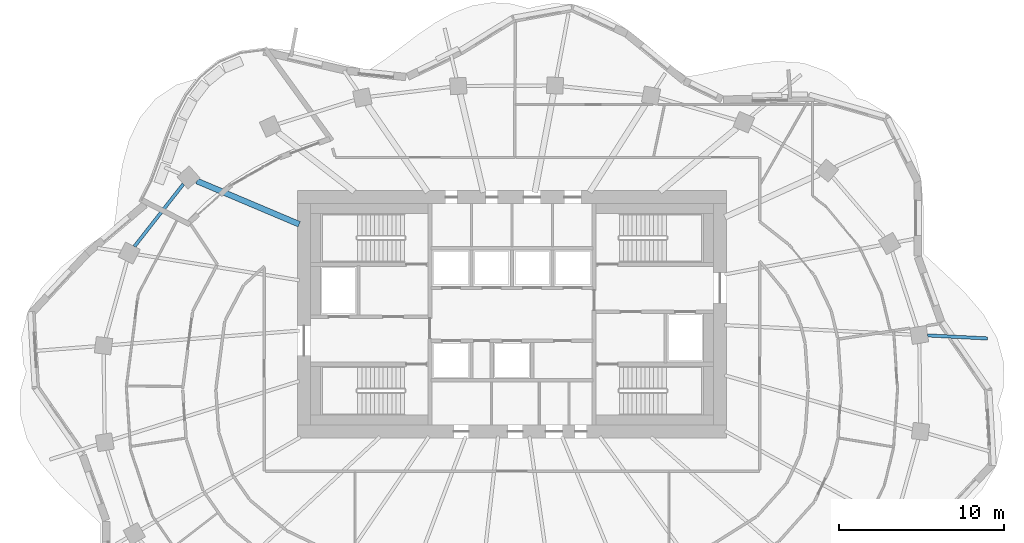
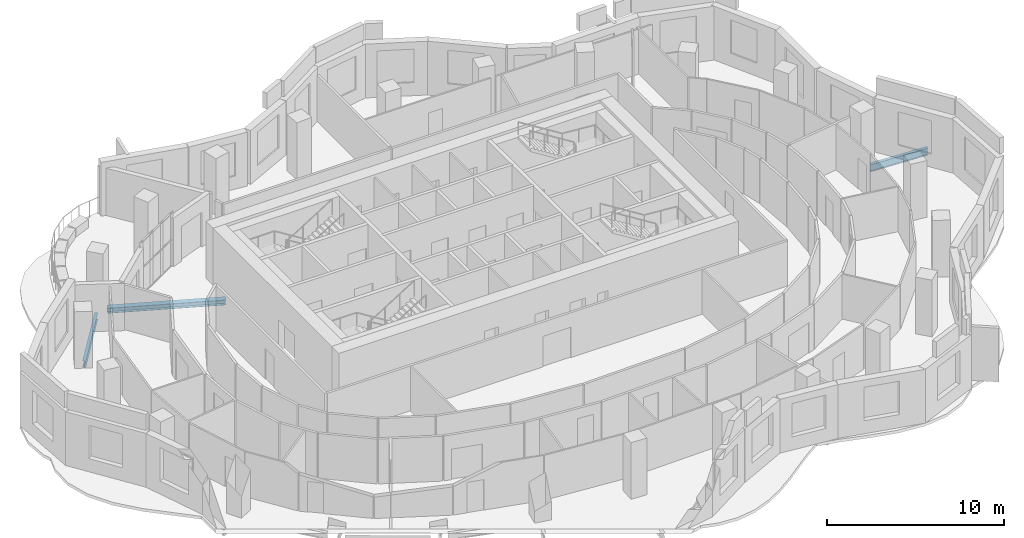
# One storey, part 2 of 13: 3 beams.
"""IFC4 building model written with IfcOpenShell, lengths in metres."""

from ifc_helpers import new_model, si_unit, direction, frame, origin, origin_2d, place, context, subcontext, project, spatial, i_section, extrude, material, material_profile, profile_set, type_object, element, save


model = new_model("IFC4")

# Units and contexts
model_context = context("Model", 3, precision=1e-05, world=origin(), true_north=direction((0.0, 1.0)))
body_context = subcontext(model_context, "Body", "Model", "MODEL_VIEW")
ifc_project = project(units=[si_unit("LENGTHUNIT", "METRE"), si_unit("AREAUNIT", "SQUARE_METRE"), si_unit("VOLUMEUNIT", "CUBIC_METRE"), si_unit("PLANEANGLEUNIT", "RADIAN"), si_unit("MASSUNIT", "GRAM", prefix="KILO")], contexts=[model_context])

# Site, building, storey
site_placement = place(None, origin())
site = spatial("IfcSite", under=ifc_project, at=site_placement, CompositionType="ELEMENT")
building_placement = place(site_placement, origin())
building = spatial("IfcBuilding", under=site, at=building_placement, Name="Rubra Terraces Tower", CompositionType="ELEMENT")
storey_placement = place(building_placement, frame((0.0, 0.0, 189.60009765625)))
storey = spatial("IfcBuildingStorey", under=building, at=storey_placement, Name="L46", CompositionType="ELEMENT", Elevation=189.60009765625)

# Beams
ifc_material = material(Name="Steel Q355B", Category="steel")
ifc_material_profile_1 = material_profile(ifc_material, i_section(OverallWidth=0.198974609375, OverallDepth=0.49609375, WebThickness=0.009033203125, FlangeThickness=0.013916015625, at=origin_2d()), Name="HN 496x199x9x14")
ifc_profile_set_1 = profile_set([ifc_material_profile_1], Name="Steel Q355B")
beam_type_1 = type_object("IfcBeamType", Name="CANTILEVER BEAM HN 496x199x9x14", PredefinedType="BEAM", material=ifc_profile_set_1)
beam_1_placement = place(storey_placement, frame((25.179931640625, 3.221923828125, -0.447998046875), z_axis=(0.998713760082, -0.050703307804, 0.0), x_axis=(0.050703307804, 0.998713760082, 0.0)))
element("IfcBeam", 1, at=beam_1_placement, inside=storey, type_object=beam_type_1, Name="beam-L46-cant-01", PredefinedType="BEAM", context=body_context, shape_type="SweptSolid", body=[
    extrude(i_section(OverallWidth=0.198974609375, OverallDepth=0.49609375, WebThickness=0.009033203125, FlangeThickness=0.013916015625, at=origin_2d()), origin(), (0.0, 0.0, 1.0), 3.625732421875),
])
ifc_material_profile_2 = material_profile(ifc_material, i_section(OverallWidth=0.35009765625, OverallDepth=0.35009765625, WebThickness=0.011962890625, FlangeThickness=0.01904296875, at=origin_2d()), Name="HW 350x350x12x19")
ifc_profile_set_2 = profile_set([ifc_material_profile_2], Name="Steel Q355B")
beam_type_2 = type_object("IfcBeamType", Name="FLOOR BEAM HW 350x350x12x19", PredefinedType="BEAM", material=ifc_profile_set_2)
beam_2_placement = place(storey_placement, frame((-19.083984375, 12.574951171875, -0.375), z_axis=(0.92097476483, -0.38962223056, 0.0), x_axis=(0.38962223056, 0.92097476483, 0.0)))
element("IfcBeam", 2, at=beam_2_placement, inside=storey, type_object=beam_type_2, Name="beam-L46-floor-10", PredefinedType="BEAM", context=body_context, shape_type="SweptSolid", body=[
    extrude(i_section(OverallWidth=0.35009765625, OverallDepth=0.35009765625, WebThickness=0.011962890625, FlangeThickness=0.01904296875, at=origin_2d()), origin(), (0.0, 0.0, 1.0), 6.7265625),
])
ifc_material_profile_3 = material_profile(ifc_material, i_section(OverallWidth=0.198974609375, OverallDepth=0.446044921875, WebThickness=0.008056640625, FlangeThickness=0.011962890625, at=origin_2d()), Name="HN 446x199x8x12")
ifc_profile_set_3 = profile_set([ifc_material_profile_3], Name="Steel Q355B")
beam_type_3 = type_object("IfcBeamType", Name="SPANDREL BEAM HN 446x199x8x12", PredefinedType="SPANDREL", material=ifc_profile_set_3)
beam_3_placement = place(storey_placement, frame((-19.906005859375, 12.39111328125, -0.423095703125), z_axis=(-0.617060338015, -0.786915840004, 0.0), x_axis=(0.786915840004, -0.617060338015, 0.0)))
element("IfcBeam", 3, at=beam_3_placement, inside=storey, type_object=beam_type_3, Name="beam-L46-spandrel-10", PredefinedType="SPANDREL", context=body_context, shape_type="SweptSolid", body=[
    extrude(i_section(OverallWidth=0.198974609375, OverallDepth=0.446044921875, WebThickness=0.008056640625, FlangeThickness=0.011962890625, at=origin_2d()), origin(), (0.0, 0.0, 1.0), 4.8037109375),
])

save(model, "model.ifc")
